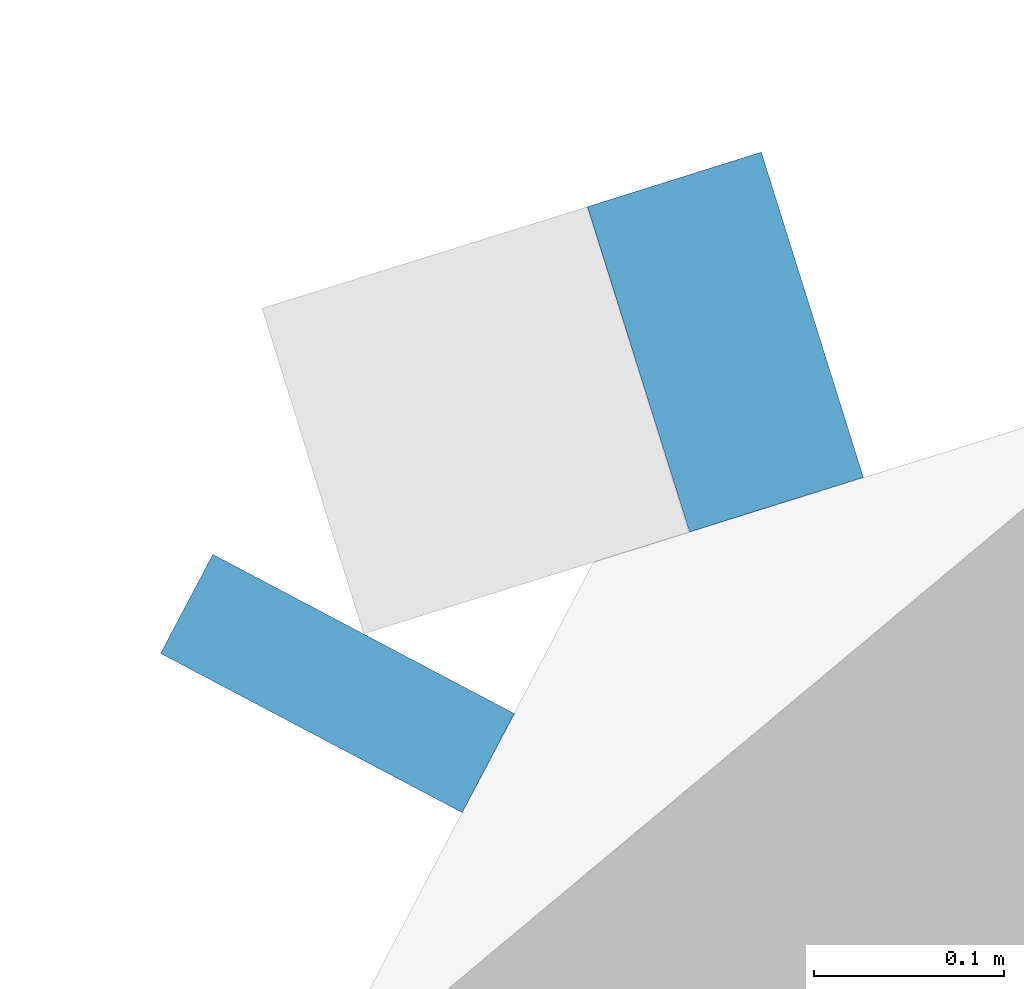
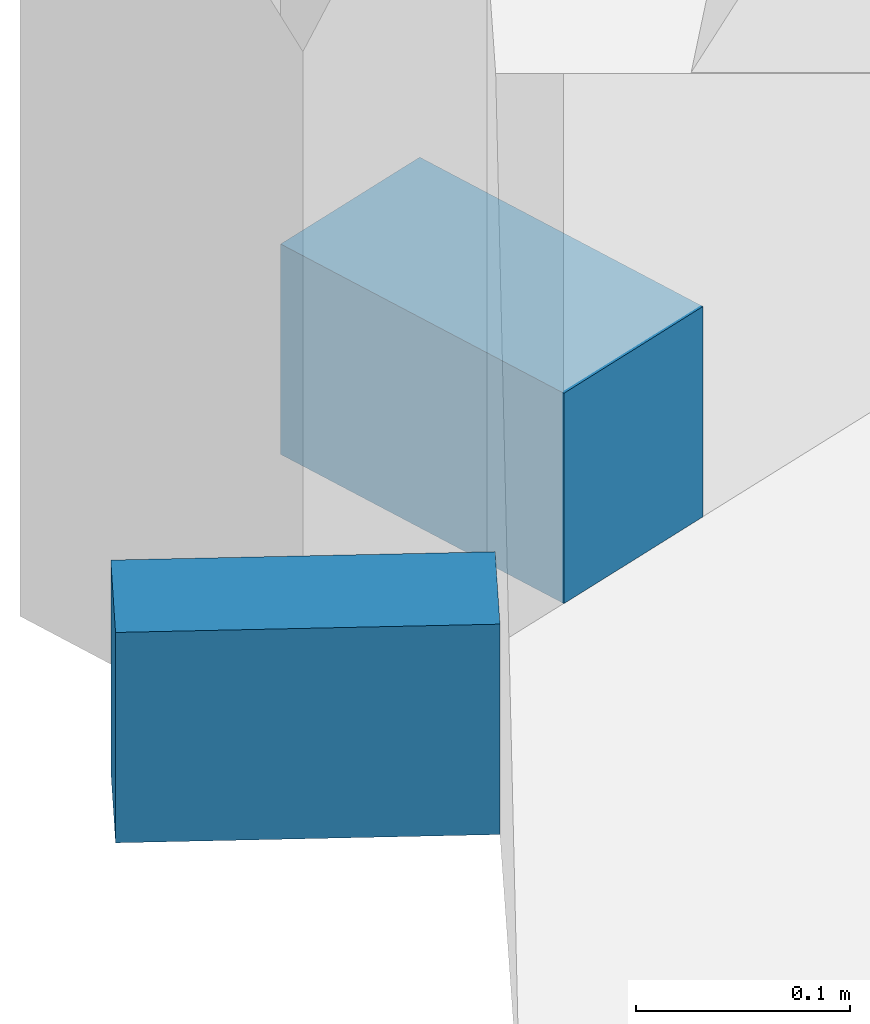
# One storey, part 14 of 23: 2 members, 2 elements without a shape of their own.
"""IFC4 building model written with IfcOpenShell, lengths in metres."""

from ifc_helpers import new_model, si_unit, direction, frame, origin, origin_2d, place, context, subcontext, project, spatial, rectangle, extrude, material, material_profile, profile_set, type_object, element, aggregate, save


model = new_model("IFC4")

# Units and contexts
model_context = context("Model", 3, precision=1e-05, world=origin(), true_north=direction((0.0, 1.0)))
body_context = subcontext(model_context, "Body", "Model", "MODEL_VIEW")
ifc_project = project(units=[si_unit("LENGTHUNIT", "METRE"), si_unit("AREAUNIT", "SQUARE_METRE"), si_unit("VOLUMEUNIT", "CUBIC_METRE"), si_unit("PLANEANGLEUNIT", "RADIAN"), si_unit("MASSUNIT", "GRAM", prefix="KILO")], contexts=[model_context])

# Site, building, storey
site_placement = place(None, origin())
site = spatial("IfcSite", under=ifc_project, at=site_placement, CompositionType="ELEMENT")
building_placement = place(site_placement, origin())
building = spatial("IfcBuilding", under=site, at=building_placement, Name="Orlundy Tower", CompositionType="ELEMENT")
storey_placement = place(building_placement, frame((0.0, 0.0, 257.0)))
storey = spatial("IfcBuildingStorey", under=building, at=storey_placement, Name="L68", CompositionType="ELEMENT", Elevation=257.0)

# Curtain wall, member
ifc_material_1 = material(Name="Aluminium bronze anodised", Category="aluminium")
curtain_wall_type = type_object("IfcCurtainWallType", Name="CW1 wall", PredefinedType="NOTDEFINED", material=ifc_material_1)
curtain_wall_1_placement = place(storey_placement, origin())
curtain_wall_1 = element("IfcCurtainWall", 1, at=curtain_wall_1_placement, inside=storey, type_object=curtain_wall_type, Name="CW1 run 02", PredefinedType="NOTDEFINED")
ifc_material_2 = material(Name="Aluminium bronze anodised", Category="aluminium")
ifc_material_profile = material_profile(ifc_material_2, rectangle(XDim=0.179931640625, YDim=0.1201171875, at=origin_2d()), Name="CW1 transom 180x120")
ifc_profile_set = profile_set([ifc_material_profile], Name="Aluminium bronze anodised")
member_type = type_object("IfcMemberType", Name="CW1 transom 180x120", PredefinedType="USERDEFINED", material=ifc_profile_set)
member_1_placement = place(storey_placement, frame((-20.948974609375, 24.8447265625, -0.340087890625), z_axis=(0.466938162214, 0.884289970919, 0.0), x_axis=(-0.884289970919, 0.466938162214, 0.0)))
member_1 = element("IfcMember", 2, at=member_1_placement, type_object=member_type, Name="CW1 transom", ObjectType="TRANSOM", PredefinedType="USERDEFINED", context=body_context, shape_type="SweptSolid", body=[
    extrude(rectangle(XDim=0.179931640625, YDim=0.1201171875, at=origin_2d()), origin(), (0.0, 0.0, 1.0), 0.05908203125),
])
aggregate(curtain_wall_1, [member_1])

curtain_wall_2_placement = place(storey_placement, origin())
curtain_wall_2 = element("IfcCurtainWall", 3, at=curtain_wall_2_placement, inside=storey, type_object=curtain_wall_type, Name="CW1 run 03", PredefinedType="NOTDEFINED")
member_2_placement = place(storey_placement, frame((-20.7763671875, 25.03662109375, -0.340087890625), z_axis=(0.954118061328, 0.299430668183, 0.0), x_axis=(-0.299430668183, 0.954118061328, 0.0)))
member_2 = element("IfcMember", 4, at=member_2_placement, type_object=member_type, Name="CW1 transom", ObjectType="TRANSOM", PredefinedType="USERDEFINED", context=body_context, shape_type="SweptSolid", body=[
    extrude(rectangle(XDim=0.179931640625, YDim=0.1201171875, at=origin_2d()), origin(), (0.0, 0.0, 1.0), 0.09619140625),
])
aggregate(curtain_wall_2, [member_2])

save(model, "model.ifc")
